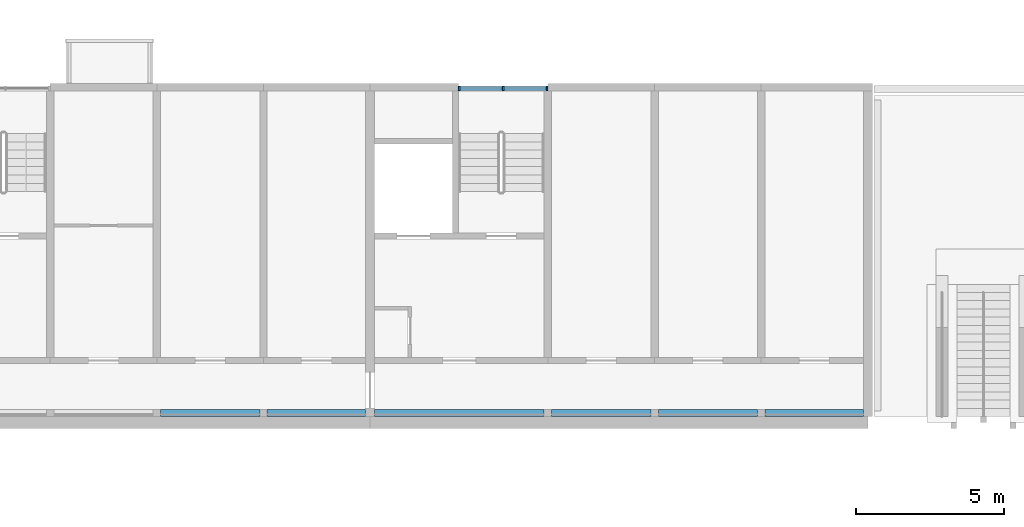
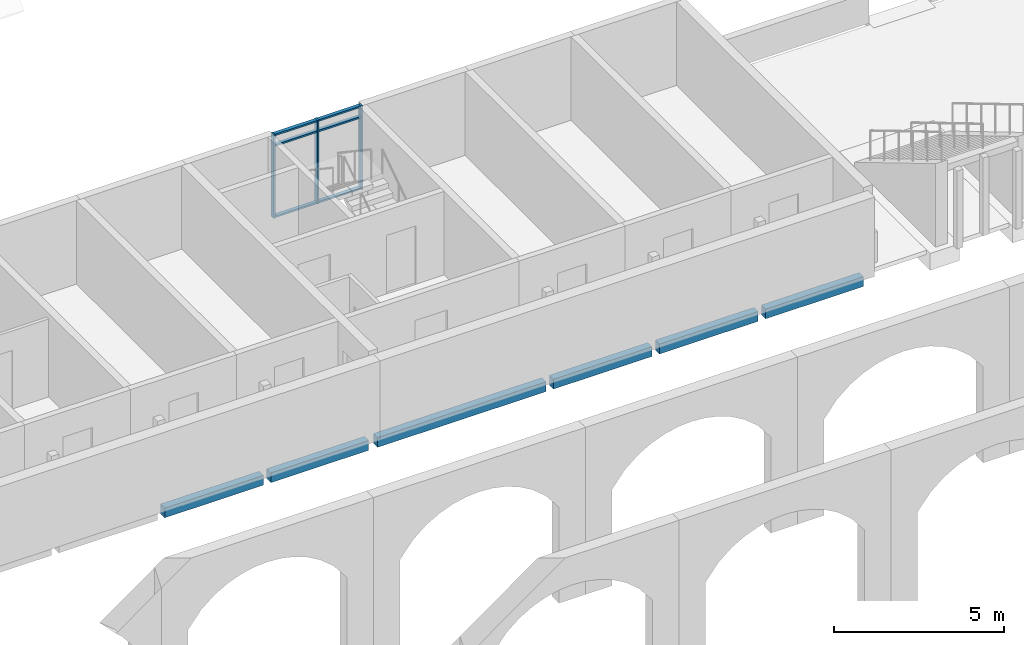
# One storey, part 28 of 122: 9 members, 6 beams, 1 element without a shape of its own.
"""IFC4 building model written with IfcOpenShell, lengths in metres."""

from ifc_helpers import new_model, si_unit, direction, frame, origin, origin_2d, place, context, subcontext, project, spatial, rectangle, extrude, material, material_profile, profile_set, type_object, element, aggregate, save


model = new_model("IFC4")

# Units and contexts
model_context = context("Model", 3, precision=1e-05, world=origin(), true_north=direction((0.0, 1.0)))
body_context = subcontext(model_context, "Body", "Model", "MODEL_VIEW")
ifc_project = project(units=[si_unit("LENGTHUNIT", "METRE"), si_unit("AREAUNIT", "SQUARE_METRE"), si_unit("VOLUMEUNIT", "CUBIC_METRE"), si_unit("PLANEANGLEUNIT", "RADIAN"), si_unit("MASSUNIT", "GRAM", prefix="KILO")], contexts=[model_context])

# Site, building, storey
site_placement = place(None, origin())
site = spatial("IfcSite", under=ifc_project, at=site_placement, CompositionType="ELEMENT")
building_placement = place(site_placement, origin())
building = spatial("IfcBuilding", under=site, at=building_placement, Name="Ridgestep Commons", CompositionType="ELEMENT")
storey_placement = place(building_placement, frame((0.0, 0.0, 3.0)))
storey = spatial("IfcBuildingStorey", under=building, at=storey_placement, Name="L01", CompositionType="ELEMENT", Elevation=3.0)

# Beams
ifc_material_1 = material(Name="Precast concrete C40/50", Category="concrete")
ifc_material_profile_1 = material_profile(ifc_material_1, rectangle(XDim=0.25, YDim=0.35009765625, at=origin_2d()), Name="PC 250x350")
ifc_profile_set_1 = profile_set([ifc_material_profile_1], Name="Precast concrete C40/50")
beam_type = type_object("IfcBeamType", Name="Loggia edge beam 250 x 350", PredefinedType="SPANDREL", material=ifc_profile_set_1)
beam_1_placement = place(storey_placement, frame((223.72509765625, 11.875, -0.375), z_axis=(1.0, 0.0, 0.0), x_axis=(0.0, 1.0, 0.0)))
element("IfcBeam", 1, at=beam_1_placement, inside=storey, type_object=beam_type, Name="Loggia edge beam D5T2 L01", PredefinedType="SPANDREL", context=body_context, shape_type="SweptSolid", body=[
    extrude(rectangle(XDim=0.25, YDim=0.35009765625, at=origin_2d()), origin(), (0.0, 0.0, 1.0), 3.349853515625),
])
beam_2_placement = place(storey_placement, frame((227.324951171875, 11.875, -0.375), z_axis=(1.0, 0.0, 0.0), x_axis=(0.0, 1.0, 0.0)))
element("IfcBeam", 2, at=beam_2_placement, inside=storey, type_object=beam_type, Name="Loggia edge beam D5T1 L01", PredefinedType="SPANDREL", context=body_context, shape_type="SweptSolid", body=[
    extrude(rectangle(XDim=0.25, YDim=0.35009765625, at=origin_2d()), origin(), (0.0, 0.0, 1.0), 3.324951171875),
])
beam_3_placement = place(storey_placement, frame((230.949951171875, 11.875, -0.375), z_axis=(1.0, 0.0, 0.0), x_axis=(0.0, 1.0, 0.0)))
element("IfcBeam", 3, at=beam_3_placement, inside=storey, type_object=beam_type, Name="Loggia edge beam D6C L01", PredefinedType="SPANDREL", context=body_context, shape_type="SweptSolid", body=[
    extrude(rectangle(XDim=0.25, YDim=0.35009765625, at=origin_2d()), origin(), (0.0, 0.0, 1.0), 5.72509765625),
])
beam_4_placement = place(storey_placement, frame((236.925048828125, 11.875, -0.375), z_axis=(1.0, 0.0, 0.0), x_axis=(0.0, 1.0, 0.0)))
element("IfcBeam", 4, at=beam_4_placement, inside=storey, type_object=beam_type, Name="Loggia edge beam D6T3 L01", PredefinedType="SPANDREL", context=body_context, shape_type="SweptSolid", body=[
    extrude(rectangle(XDim=0.25, YDim=0.35009765625, at=origin_2d()), origin(), (0.0, 0.0, 1.0), 3.349853515625),
])
beam_5_placement = place(storey_placement, frame((240.52490234375, 11.875, -0.375), z_axis=(1.0, 0.0, 0.0), x_axis=(0.0, 1.0, 0.0)))
element("IfcBeam", 5, at=beam_5_placement, inside=storey, type_object=beam_type, Name="Loggia edge beam D6T2 L01", PredefinedType="SPANDREL", context=body_context, shape_type="SweptSolid", body=[
    extrude(rectangle(XDim=0.25, YDim=0.35009765625, at=origin_2d()), origin(), (0.0, 0.0, 1.0), 3.35009765625),
])
beam_6_placement = place(storey_placement, frame((244.125, 11.875, -0.375), z_axis=(1.0, 0.0, 0.0), x_axis=(0.0, 1.0, 0.0)))
element("IfcBeam", 6, at=beam_6_placement, inside=storey, type_object=beam_type, Name="Loggia edge beam D6T1 L01", PredefinedType="SPANDREL", context=body_context, shape_type="SweptSolid", body=[
    extrude(rectangle(XDim=0.25, YDim=0.35009765625, at=origin_2d()), origin(), (0.0, 0.0, 1.0), 3.324951171875),
])

# Curtain wall, members
ifc_material_2 = material(Name="Aluminium 6063-T6 and glass", Category="aluminium")
curtain_wall_type = type_object("IfcCurtainWallType", Name="Curtain wall stair strip", PredefinedType="NOTDEFINED", material=ifc_material_2)
curtain_wall_placement = place(storey_placement, origin())
curtain_wall = element("IfcCurtainWall", 7, at=curtain_wall_placement, inside=storey, type_object=curtain_wall_type, Name="Curtain wall D6C level 01", PredefinedType="NOTDEFINED")
ifc_material_3 = material(Name="Aluminium 6063-T6", Category="aluminium")
ifc_material_profile_2 = material_profile(ifc_material_3, rectangle(XDim=0.159912109375, YDim=0.06005859375, at=origin_2d()), Name="Mullion 60 x 160")
ifc_profile_set_2 = profile_set([ifc_material_profile_2], Name="Aluminium 6063-T6")
member_type_1 = type_object("IfcMemberType", Name="Mullion 60 x 160", PredefinedType="MULLION", material=ifc_profile_set_2)
member_1_placement = place(storey_placement, frame((233.804931640625, 22.830078125, 0.0), z_axis=(0.0, 0.0, 1.0), x_axis=(0.0, 1.0, 0.0)))
member_1 = element("IfcMember", 8, at=member_1_placement, type_object=member_type_1, Name="CW1 mullion 1", PredefinedType="MULLION", context=body_context, shape_type="SweptSolid", body=[
    extrude(rectangle(XDim=0.159912109375, YDim=0.06005859375, at=origin_2d()), origin(), (0.0, 0.0, 1.0), 3.0),
])
member_2_placement = place(storey_placement, frame((235.28759765625, 22.830078125, 0.0), z_axis=(0.0, 0.0, 1.0), x_axis=(0.0, 1.0, 0.0)))
member_2 = element("IfcMember", 9, at=member_2_placement, type_object=member_type_1, Name="CW1 mullion 2", PredefinedType="MULLION", context=body_context, shape_type="SweptSolid", body=[
    extrude(rectangle(XDim=0.159912109375, YDim=0.06005859375, at=origin_2d()), origin(), (0.0, 0.0, 1.0), 3.0),
])
member_3_placement = place(storey_placement, frame((236.77001953125, 22.830078125, 0.0), z_axis=(0.0, 0.0, 1.0), x_axis=(0.0, 1.0, 0.0)))
member_3 = element("IfcMember", 10, at=member_3_placement, type_object=member_type_1, Name="CW1 mullion 3", PredefinedType="MULLION", context=body_context, shape_type="SweptSolid", body=[
    extrude(rectangle(XDim=0.159912109375, YDim=0.06005859375, at=origin_2d()), origin(), (0.0, 0.0, 1.0), 3.0),
])
ifc_material_4 = material(Name="Aluminium 6063-T6", Category="aluminium")
ifc_material_profile_3 = material_profile(ifc_material_4, rectangle(XDim=0.1201171875, YDim=0.06005859375, at=origin_2d()), Name="Transom 60 x 120")
ifc_profile_set_3 = profile_set([ifc_material_profile_3], Name="Aluminium 6063-T6")
member_type_2 = type_object("IfcMemberType", Name="Transom 60 x 120", PredefinedType="USERDEFINED", material=ifc_profile_set_3)
member_4_placement = place(storey_placement, frame((233.8349609375, 22.830078125, 0.030029296875), z_axis=(1.0, 0.0, 0.0), x_axis=(0.0, 1.0, 0.0)))
member_4 = element("IfcMember", 11, at=member_4_placement, type_object=member_type_2, Name="CW1 transom 1.1", ObjectType="TRANSOM", PredefinedType="USERDEFINED", context=body_context, shape_type="SweptSolid", body=[
    extrude(rectangle(XDim=0.1201171875, YDim=0.06005859375, at=origin_2d()), origin(), (0.0, 0.0, 1.0), 1.422607421875),
])
member_5_placement = place(storey_placement, frame((233.8349609375, 22.830078125, 2.590087890625), z_axis=(1.0, 0.0, 0.0), x_axis=(0.0, 1.0, 0.0)))
member_5 = element("IfcMember", 12, at=member_5_placement, type_object=member_type_2, Name="CW1 transom 1.2", ObjectType="TRANSOM", PredefinedType="USERDEFINED", context=body_context, shape_type="SweptSolid", body=[
    extrude(rectangle(XDim=0.1201171875, YDim=0.06005859375, at=origin_2d()), origin(), (0.0, 0.0, 1.0), 1.422607421875),
])
member_6_placement = place(storey_placement, frame((233.8349609375, 22.830078125, 2.969970703125), z_axis=(1.0, 0.0, 0.0), x_axis=(0.0, 1.0, 0.0)))
member_6 = element("IfcMember", 13, at=member_6_placement, type_object=member_type_2, Name="CW1 transom 1.3", ObjectType="TRANSOM", PredefinedType="USERDEFINED", context=body_context, shape_type="SweptSolid", body=[
    extrude(rectangle(XDim=0.1201171875, YDim=0.06005859375, at=origin_2d()), origin(), (0.0, 0.0, 1.0), 1.422607421875),
])
member_7_placement = place(storey_placement, frame((235.3173828125, 22.830078125, 0.030029296875), z_axis=(1.0, 0.0, 0.0), x_axis=(0.0, 1.0, 0.0)))
member_7 = element("IfcMember", 14, at=member_7_placement, type_object=member_type_2, Name="CW1 transom 2.1", ObjectType="TRANSOM", PredefinedType="USERDEFINED", context=body_context, shape_type="SweptSolid", body=[
    extrude(rectangle(XDim=0.1201171875, YDim=0.06005859375, at=origin_2d()), origin(), (0.0, 0.0, 1.0), 1.422607421875),
])
member_8_placement = place(storey_placement, frame((235.3173828125, 22.830078125, 2.590087890625), z_axis=(1.0, 0.0, 0.0), x_axis=(0.0, 1.0, 0.0)))
member_8 = element("IfcMember", 15, at=member_8_placement, type_object=member_type_2, Name="CW1 transom 2.2", ObjectType="TRANSOM", PredefinedType="USERDEFINED", context=body_context, shape_type="SweptSolid", body=[
    extrude(rectangle(XDim=0.1201171875, YDim=0.06005859375, at=origin_2d()), origin(), (0.0, 0.0, 1.0), 1.422607421875),
])
member_9_placement = place(storey_placement, frame((235.3173828125, 22.830078125, 2.969970703125), z_axis=(1.0, 0.0, 0.0), x_axis=(0.0, 1.0, 0.0)))
member_9 = element("IfcMember", 16, at=member_9_placement, type_object=member_type_2, Name="CW1 transom 2.3", ObjectType="TRANSOM", PredefinedType="USERDEFINED", context=body_context, shape_type="SweptSolid", body=[
    extrude(rectangle(XDim=0.1201171875, YDim=0.06005859375, at=origin_2d()), origin(), (0.0, 0.0, 1.0), 1.422607421875),
])
aggregate(curtain_wall, [member_1, member_2, member_3, member_4, member_5, member_6, member_7, member_8, member_9])

save(model, "model.ifc")
